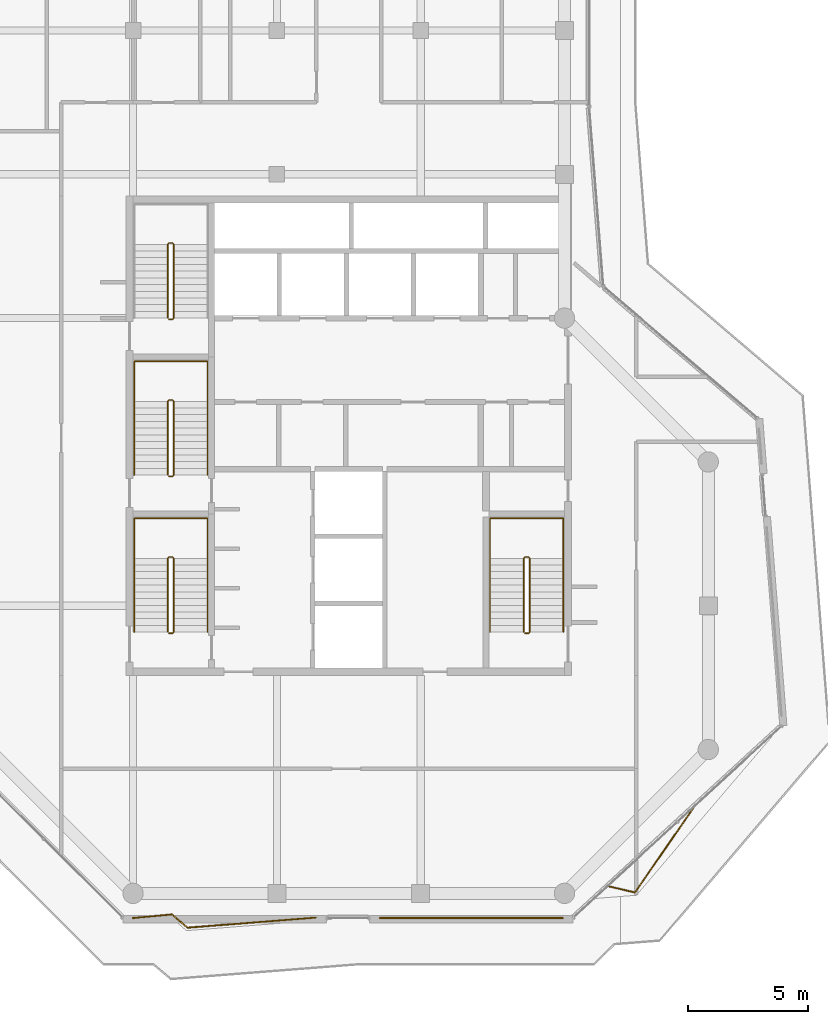
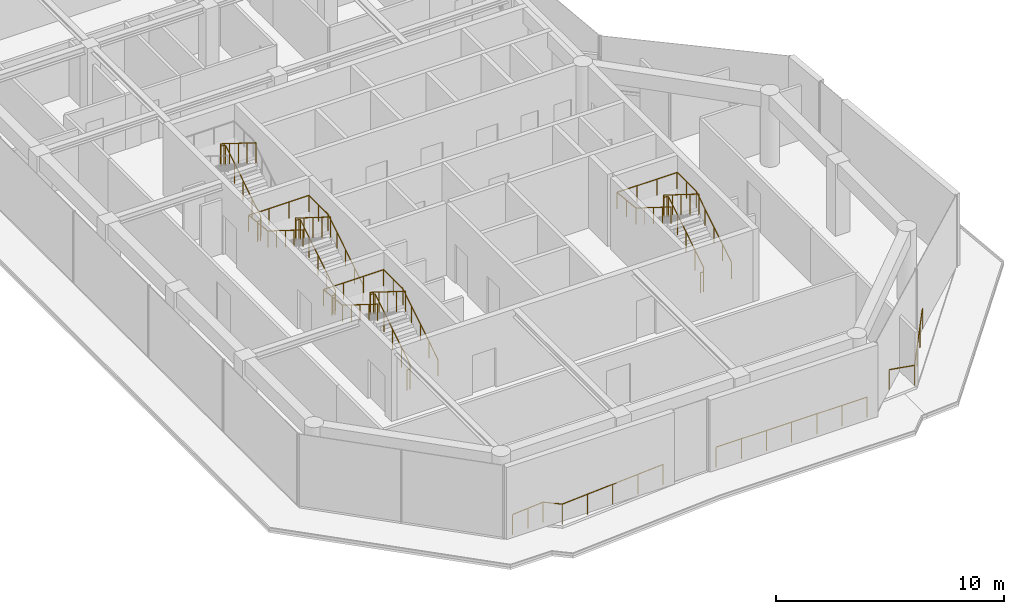
# One storey, part 22 of 23: 10 railings.
"""IFC4 building model written with IfcOpenShell, lengths in metres."""

from ifc_helpers import new_model, si_unit, direction, frame, origin, origin_2d, place, context, subcontext, project, spatial, circle, extrude, material, type_object, element, save


model = new_model("IFC4")

# Units and contexts
model_context = context("Model", 3, precision=1e-05, world=origin(), true_north=direction((0.0, 1.0)))
body_context = subcontext(model_context, "Body", "Model", "MODEL_VIEW")
ifc_project = project(units=[si_unit("LENGTHUNIT", "METRE"), si_unit("AREAUNIT", "SQUARE_METRE"), si_unit("VOLUMEUNIT", "CUBIC_METRE"), si_unit("PLANEANGLEUNIT", "RADIAN"), si_unit("MASSUNIT", "GRAM", prefix="KILO")], contexts=[model_context])

# Site, building, storey
site_placement = place(None, origin())
site = spatial("IfcSite", under=ifc_project, at=site_placement, CompositionType="ELEMENT")
building_placement = place(site_placement, origin())
building = spatial("IfcBuilding", under=site, at=building_placement, Name="Welwitschia Terrace Campus", CompositionType="ELEMENT")
storey_placement = place(building_placement, frame((0.0, 0.0, 306.199951171875)))
storey = spatial("IfcBuildingStorey", under=building, at=storey_placement, Name="L68", CompositionType="ELEMENT", Elevation=306.199951171875)

# Railings
ifc_material_1 = material(Name="Stainless steel grade 316", Category="steel")
railing_type_1 = type_object("IfcRailingType", Name="Guard 1100", PredefinedType="GUARDRAIL", material=ifc_material_1)
railing_1_placement = place(storey_placement, frame((13.616943359375, -5.010986328125, 0.0)))
element("IfcRailing", 1, at=railing_1_placement, inside=storey, type_object=railing_type_1, Name="Guard floor edge L68.1", PredefinedType="GUARDRAIL", context=body_context, shape_type="SweptSolid", body=[
    extrude(circle(Radius=0.02392578125, at=origin_2d()), frame((0.0, 0.0, 1.076171875), z_axis=(-0.996917952921, -0.078451227809, 0.0), x_axis=(0.078451227809, -0.996917952921, 0.0)), (0.0, 0.0, 1.0), 5.362060546875),
    extrude(circle(Radius=0.02392578125, at=origin_2d()), frame((-5.345458984375, -0.420654296875, 1.076171875), z_axis=(-0.760391417932, 0.649465081075, 0.0), x_axis=(-0.649465081075, -0.760391417932, 0.0)), (0.0, 0.0, 1.0), 0.849609375),
    extrude(circle(Radius=0.02392578125, at=origin_2d()), frame((-5.991455078125, 0.131103515625, 1.076171875), z_axis=(-0.995776133678, -0.091814441111, 0.0), x_axis=(0.091814441111, -0.995776133678, 0.0)), (0.0, 0.0, 1.0), 1.63525390625),
    extrude(circle(Radius=0.02099609375, at=origin_2d()), origin(), (0.0, 0.0, 1.0), 1.052001953125),
    extrude(circle(Radius=0.02099609375, at=origin_2d()), frame((-1.33642578125, -0.105224609375, 0.0)), (0.0, 0.0, 1.0), 1.052001953125),
    extrude(circle(Radius=0.02099609375, at=origin_2d()), frame((-2.6728515625, -0.21044921875, 0.0)), (0.0, 0.0, 1.0), 1.052001953125),
    extrude(circle(Radius=0.02099609375, at=origin_2d()), frame((-4.009033203125, -0.3154296875, 0.0)), (0.0, 0.0, 1.0), 1.052001953125),
    extrude(circle(Radius=0.02099609375, at=origin_2d()), frame((-5.345458984375, -0.420654296875, 0.0)), (0.0, 0.0, 1.0), 1.052001953125),
    extrude(circle(Radius=0.02099609375, at=origin_2d()), frame((-5.991455078125, 0.131103515625, 0.0)), (0.0, 0.0, 1.0), 1.052001953125),
    extrude(circle(Radius=0.02099609375, at=origin_2d()), frame((-6.8056640625, 0.05615234375, 0.0)), (0.0, 0.0, 1.0), 1.052001953125),
    extrude(circle(Radius=0.02099609375, at=origin_2d()), frame((-7.619873046875, -0.01904296875, 0.0)), (0.0, 0.0, 1.0), 1.052001953125),
])
railing_2_placement = place(storey_placement, frame((23.9345703125, -5.030029296875, 0.0)))
element("IfcRailing", 2, at=railing_2_placement, inside=storey, type_object=railing_type_1, Name="Guard floor edge L68.3", PredefinedType="GUARDRAIL", context=body_context, shape_type="SweptSolid", body=[
    extrude(circle(Radius=0.02392578125, at=origin_2d()), frame((0.0, 0.0, 1.076171875), z_axis=(-1.0, 0.0, 0.0), x_axis=(0.0, -1.0, 0.0)), (0.0, 0.0, 1.0), 7.644775390625),
    extrude(circle(Radius=0.02099609375, at=origin_2d()), origin(), (0.0, 0.0, 1.0), 1.052001953125),
    extrude(circle(Radius=0.02099609375, at=origin_2d()), frame((-1.274169921875, 0.0, 0.0)), (0.0, 0.0, 1.0), 1.052001953125),
    extrude(circle(Radius=0.02099609375, at=origin_2d()), frame((-2.54833984375, 0.0, 0.0)), (0.0, 0.0, 1.0), 1.052001953125),
    extrude(circle(Radius=0.02099609375, at=origin_2d()), frame((-3.822265625, 0.0, 0.0)), (0.0, 0.0, 1.0), 1.052001953125),
    extrude(circle(Radius=0.02099609375, at=origin_2d()), frame((-5.096435546875, 0.0, 0.0)), (0.0, 0.0, 1.0), 1.052001953125),
    extrude(circle(Radius=0.02099609375, at=origin_2d()), frame((-6.37060546875, 0.0, 0.0)), (0.0, 0.0, 1.0), 1.052001953125),
    extrude(circle(Radius=0.02099609375, at=origin_2d()), frame((-7.644775390625, 0.0, 0.0)), (0.0, 0.0, 1.0), 1.052001953125),
])
railing_3_placement = place(storey_placement, frame((29.4189453125, -0.374755859375, 0.0)))
element("IfcRailing", 3, at=railing_3_placement, inside=storey, type_object=railing_type_1, Name="Guard floor edge L68.5", PredefinedType="GUARDRAIL", context=body_context, shape_type="SweptSolid", body=[
    extrude(circle(Radius=0.02392578125, at=origin_2d()), frame((0.0, 0.0, 1.076171875), z_axis=(-0.568082352485, -0.822971713241, 0.0), x_axis=(0.822971713241, -0.568082352485, 0.0)), (0.0, 0.0, 1.0), 4.359130859375),
    extrude(circle(Radius=0.02392578125, at=origin_2d()), frame((-2.476318359375, -3.58740234375, 1.076171875), z_axis=(-0.973601028447, 0.22825651668, 0.0), x_axis=(-0.22825651668, -0.973601028447, 0.0)), (0.0, 0.0, 1.0), 1.164794921875),
    extrude(circle(Radius=0.02099609375, at=origin_2d()), origin(), (0.0, 0.0, 1.0), 1.052001953125),
    extrude(circle(Radius=0.02099609375, at=origin_2d()), frame((-0.825439453125, -1.19580078125, 0.0)), (0.0, 0.0, 1.0), 1.052001953125),
    extrude(circle(Radius=0.02099609375, at=origin_2d()), frame((-1.65087890625, -2.3916015625, 0.0)), (0.0, 0.0, 1.0), 1.052001953125),
    extrude(circle(Radius=0.02099609375, at=origin_2d()), frame((-2.476318359375, -3.58740234375, 0.0)), (0.0, 0.0, 1.0), 1.052001953125),
    extrude(circle(Radius=0.02099609375, at=origin_2d()), frame((-3.6103515625, -3.321533203125, 0.0)), (0.0, 0.0, 1.0), 1.052001953125),
])
ifc_material_2 = material(Name="Steel S355", Category="steel")
railing_type_2 = type_object("IfcRailingType", Name="Stair guard 1100", PredefinedType="GUARDRAIL", material=ifc_material_2)
railing_4_placement = place(storey_placement, frame((7.5, 6.85009765625, 0.0)))
element("IfcRailing", 4, at=railing_4_placement, inside=storey, type_object=railing_type_2, Name="L68 S1 stair guard", PredefinedType="GUARDRAIL", context=body_context, shape_type="SweptSolid", body=[
    extrude(circle(Radius=0.02392578125, at=origin_2d()), frame((0.0, 0.0, 1.076171875), z_axis=(1.0, 0.0, 0.0), x_axis=(0.0, 1.0, 0.0)), (0.0, 0.0, 1.0), 0.14990234375),
    extrude(circle(Radius=0.02392578125, at=origin_2d()), frame((0.14990234375, 0.0, 1.076171875), z_axis=(0.265155923931, 0.263862480399, 0.927399011991), x_axis=(-0.705375805398, 0.708833529934, 0.0)), (0.0, 0.0, 1.0), 0.188720703125),
    extrude(circle(Radius=0.02392578125, at=origin_2d()), frame((0.199951171875, 0.0498046875, 1.2509765625), z_axis=(0.0, 0.847998304005, 0.529998940003), x_axis=(-1.0, 0.0, 0.0)), (0.0, 0.0, 1.0), 3.632080078125),
    extrude(circle(Radius=0.02392578125, at=origin_2d()), frame((0.199951171875, 3.1298828125, 3.17626953125), z_axis=(-0.707106781187, 0.707106781187, 0.0), x_axis=(-0.707106781187, -0.707106781187, 0.0)), (0.0, 0.0, 1.0), 0.07080078125),
    extrude(circle(Radius=0.02392578125, at=origin_2d()), frame((0.14990234375, 3.179931640625, 3.17626953125), z_axis=(-1.0, 0.0, 0.0), x_axis=(0.0, -1.0, 0.0)), (0.0, 0.0, 1.0), 0.14990234375),
    extrude(circle(Radius=0.02392578125, at=origin_2d()), frame((0.0, 3.179931640625, 3.17626953125), z_axis=(-0.265065253269, -0.265065253269, 0.927081885822), x_axis=(0.707106781187, -0.707106781187, 0.0)), (0.0, 0.0, 1.0), 0.188720703125),
    extrude(circle(Radius=0.02392578125, at=origin_2d()), frame((-0.050048828125, 3.1298828125, 3.35107421875), z_axis=(0.0, -0.848028513186, 0.529950602248), x_axis=(1.0, 0.0, 0.0)), (0.0, 0.0, 1.0), 3.632080078125),
    extrude(circle(Radius=0.02099609375, at=origin_2d()), origin(), (0.0, 0.0, 1.0), 1.052001953125),
    extrude(circle(Radius=0.02099609375, at=origin_2d()), frame((0.14990234375, 0.0, 0.0)), (0.0, 0.0, 1.0), 1.052001953125),
    extrude(circle(Radius=0.02099609375, at=origin_2d()), frame((0.199951171875, 0.0498046875, 0.175048828125)), (0.0, 0.0, 1.0), 1.052001953125),
    extrude(circle(Radius=0.02099609375, at=origin_2d()), frame((0.199951171875, 0.81982421875, 0.65625)), (0.0, 0.0, 1.0), 1.052001953125),
    extrude(circle(Radius=0.02099609375, at=origin_2d()), frame((0.199951171875, 1.58984375, 1.1376953125)), (0.0, 0.0, 1.0), 1.052001953125),
    extrude(circle(Radius=0.02099609375, at=origin_2d()), frame((0.199951171875, 2.35986328125, 1.618896484375)), (0.0, 0.0, 1.0), 1.052001953125),
    extrude(circle(Radius=0.02099609375, at=origin_2d()), frame((0.199951171875, 3.1298828125, 2.10009765625)), (0.0, 0.0, 1.0), 1.052001953125),
    extrude(circle(Radius=0.02099609375, at=origin_2d()), frame((0.14990234375, 3.179931640625, 2.10009765625)), (0.0, 0.0, 1.0), 1.052001953125),
    extrude(circle(Radius=0.02099609375, at=origin_2d()), frame((0.0, 3.179931640625, 2.10009765625)), (0.0, 0.0, 1.0), 1.052001953125),
    extrude(circle(Radius=0.02099609375, at=origin_2d()), frame((-0.050048828125, 3.1298828125, 2.275146484375)), (0.0, 0.0, 1.0), 1.052001953125),
    extrude(circle(Radius=0.02099609375, at=origin_2d()), frame((-0.050048828125, 2.35986328125, 2.75634765625)), (0.0, 0.0, 1.0), 1.052001953125),
    extrude(circle(Radius=0.02099609375, at=origin_2d()), frame((-0.050048828125, 1.58984375, 3.237548828125)), (0.0, 0.0, 1.0), 1.052001953125),
    extrude(circle(Radius=0.02099609375, at=origin_2d()), frame((-0.050048828125, 0.81982421875, 3.71875)), (0.0, 0.0, 1.0), 1.052001953125),
    extrude(circle(Radius=0.02099609375, at=origin_2d()), frame((-0.050048828125, 0.0498046875, 4.199951171875)), (0.0, 0.0, 1.0), 1.052001953125),
])
railing_5_placement = place(storey_placement, frame((7.5, 13.39990234375, 0.0)))
element("IfcRailing", 5, at=railing_5_placement, inside=storey, type_object=railing_type_2, Name="L68 S3 stair guard", PredefinedType="GUARDRAIL", context=body_context, shape_type="SweptSolid", body=[
    extrude(circle(Radius=0.02392578125, at=origin_2d()), frame((0.0, 0.0, 1.076171875), z_axis=(1.0, 0.0, 0.0), x_axis=(0.0, 1.0, 0.0)), (0.0, 0.0, 1.0), 0.14990234375),
    extrude(circle(Radius=0.02392578125, at=origin_2d()), frame((0.14990234375, 0.0, 1.076171875), z_axis=(0.265065253269, 0.265065253269, 0.927081885822), x_axis=(-0.707106781187, 0.707106781187, 0.0)), (0.0, 0.0, 1.0), 0.188720703125),
    extrude(circle(Radius=0.02392578125, at=origin_2d()), frame((0.199951171875, 0.050048828125, 1.2509765625), z_axis=(0.0, 0.847998304005, 0.529998940003), x_axis=(-1.0, 0.0, 0.0)), (0.0, 0.0, 1.0), 3.632080078125),
    extrude(circle(Radius=0.02392578125, at=origin_2d()), frame((0.199951171875, 3.130126953125, 3.17626953125), z_axis=(-0.707106781187, 0.707106781187, 0.0), x_axis=(-0.707106781187, -0.707106781187, 0.0)), (0.0, 0.0, 1.0), 0.07080078125),
    extrude(circle(Radius=0.02392578125, at=origin_2d()), frame((0.14990234375, 3.18017578125, 3.17626953125), z_axis=(-1.0, 0.0, 0.0), x_axis=(0.0, -1.0, 0.0)), (0.0, 0.0, 1.0), 0.14990234375),
    extrude(circle(Radius=0.02392578125, at=origin_2d()), frame((0.0, 3.18017578125, 3.17626953125), z_axis=(-0.265065253269, -0.265065253269, 0.927081885822), x_axis=(0.707106781187, -0.707106781187, 0.0)), (0.0, 0.0, 1.0), 0.188720703125),
    extrude(circle(Radius=0.02392578125, at=origin_2d()), frame((-0.050048828125, 3.130126953125, 3.35107421875), z_axis=(0.0, -0.848028513186, 0.529950602248), x_axis=(1.0, 0.0, 0.0)), (0.0, 0.0, 1.0), 3.632080078125),
    extrude(circle(Radius=0.02099609375, at=origin_2d()), origin(), (0.0, 0.0, 1.0), 1.052001953125),
    extrude(circle(Radius=0.02099609375, at=origin_2d()), frame((0.14990234375, 0.0, 0.0)), (0.0, 0.0, 1.0), 1.052001953125),
    extrude(circle(Radius=0.02099609375, at=origin_2d()), frame((0.199951171875, 0.050048828125, 0.175048828125)), (0.0, 0.0, 1.0), 1.052001953125),
    extrude(circle(Radius=0.02099609375, at=origin_2d()), frame((0.199951171875, 0.820068359375, 0.65625)), (0.0, 0.0, 1.0), 1.052001953125),
    extrude(circle(Radius=0.02099609375, at=origin_2d()), frame((0.199951171875, 1.590087890625, 1.1376953125)), (0.0, 0.0, 1.0), 1.052001953125),
    extrude(circle(Radius=0.02099609375, at=origin_2d()), frame((0.199951171875, 2.360107421875, 1.618896484375)), (0.0, 0.0, 1.0), 1.052001953125),
    extrude(circle(Radius=0.02099609375, at=origin_2d()), frame((0.199951171875, 3.130126953125, 2.10009765625)), (0.0, 0.0, 1.0), 1.052001953125),
    extrude(circle(Radius=0.02099609375, at=origin_2d()), frame((0.14990234375, 3.18017578125, 2.10009765625)), (0.0, 0.0, 1.0), 1.052001953125),
    extrude(circle(Radius=0.02099609375, at=origin_2d()), frame((0.0, 3.18017578125, 2.10009765625)), (0.0, 0.0, 1.0), 1.052001953125),
    extrude(circle(Radius=0.02099609375, at=origin_2d()), frame((-0.050048828125, 3.130126953125, 2.275146484375)), (0.0, 0.0, 1.0), 1.052001953125),
    extrude(circle(Radius=0.02099609375, at=origin_2d()), frame((-0.050048828125, 2.360107421875, 2.75634765625)), (0.0, 0.0, 1.0), 1.052001953125),
    extrude(circle(Radius=0.02099609375, at=origin_2d()), frame((-0.050048828125, 1.590087890625, 3.237548828125)), (0.0, 0.0, 1.0), 1.052001953125),
    extrude(circle(Radius=0.02099609375, at=origin_2d()), frame((-0.050048828125, 0.820068359375, 3.71875)), (0.0, 0.0, 1.0), 1.052001953125),
    extrude(circle(Radius=0.02099609375, at=origin_2d()), frame((-0.050048828125, 0.050048828125, 4.199951171875)), (0.0, 0.0, 1.0), 1.052001953125),
])
railing_6_placement = place(storey_placement, frame((7.5, 19.949951171875, 0.0)))
element("IfcRailing", 6, at=railing_6_placement, inside=storey, type_object=railing_type_2, Name="L68 S4 stair guard", PredefinedType="GUARDRAIL", context=body_context, shape_type="SweptSolid", body=[
    extrude(circle(Radius=0.02392578125, at=origin_2d()), frame((0.0, 0.0, 1.076171875), z_axis=(1.0, 0.0, 0.0), x_axis=(0.0, 1.0, 0.0)), (0.0, 0.0, 1.0), 0.14990234375),
    extrude(circle(Radius=0.02392578125, at=origin_2d()), frame((0.14990234375, 0.0, 1.076171875), z_axis=(0.265065253269, 0.265065253269, 0.927081885822), x_axis=(-0.707106781187, 0.707106781187, 0.0)), (0.0, 0.0, 1.0), 0.188720703125),
    extrude(circle(Radius=0.02392578125, at=origin_2d()), frame((0.199951171875, 0.050048828125, 1.2509765625), z_axis=(0.0, 0.847998304005, 0.529998940003), x_axis=(-1.0, 0.0, 0.0)), (0.0, 0.0, 1.0), 3.632080078125),
    extrude(circle(Radius=0.02392578125, at=origin_2d()), frame((0.199951171875, 3.130126953125, 3.17626953125), z_axis=(-0.708833529934, 0.705375805398, 0.0), x_axis=(-0.705375805398, -0.708833529934, 0.0)), (0.0, 0.0, 1.0), 0.070556640625),
    extrude(circle(Radius=0.02392578125, at=origin_2d()), frame((0.14990234375, 3.179931640625, 3.17626953125), z_axis=(-1.0, 0.0, 0.0), x_axis=(0.0, -1.0, 0.0)), (0.0, 0.0, 1.0), 0.14990234375),
    extrude(circle(Radius=0.02392578125, at=origin_2d()), frame((0.0, 3.179931640625, 3.17626953125), z_axis=(-0.265155923931, -0.263862480399, 0.927399011991), x_axis=(0.705375805398, -0.708833529934, 0.0)), (0.0, 0.0, 1.0), 0.188720703125),
    extrude(circle(Radius=0.02392578125, at=origin_2d()), frame((-0.050048828125, 3.130126953125, 3.35107421875), z_axis=(0.0, -0.848028513186, 0.529950602248), x_axis=(1.0, 0.0, 0.0)), (0.0, 0.0, 1.0), 3.632080078125),
    extrude(circle(Radius=0.02099609375, at=origin_2d()), origin(), (0.0, 0.0, 1.0), 1.052001953125),
    extrude(circle(Radius=0.02099609375, at=origin_2d()), frame((0.14990234375, 0.0, 0.0)), (0.0, 0.0, 1.0), 1.052001953125),
    extrude(circle(Radius=0.02099609375, at=origin_2d()), frame((0.199951171875, 0.050048828125, 0.175048828125)), (0.0, 0.0, 1.0), 1.052001953125),
    extrude(circle(Radius=0.02099609375, at=origin_2d()), frame((0.199951171875, 0.820068359375, 0.65625)), (0.0, 0.0, 1.0), 1.052001953125),
    extrude(circle(Radius=0.02099609375, at=origin_2d()), frame((0.199951171875, 1.590087890625, 1.1376953125)), (0.0, 0.0, 1.0), 1.052001953125),
    extrude(circle(Radius=0.02099609375, at=origin_2d()), frame((0.199951171875, 2.360107421875, 1.618896484375)), (0.0, 0.0, 1.0), 1.052001953125),
    extrude(circle(Radius=0.02099609375, at=origin_2d()), frame((0.199951171875, 3.130126953125, 2.10009765625)), (0.0, 0.0, 1.0), 1.052001953125),
    extrude(circle(Radius=0.02099609375, at=origin_2d()), frame((0.14990234375, 3.179931640625, 2.10009765625)), (0.0, 0.0, 1.0), 1.052001953125),
    extrude(circle(Radius=0.02099609375, at=origin_2d()), frame((0.0, 3.179931640625, 2.10009765625)), (0.0, 0.0, 1.0), 1.052001953125),
    extrude(circle(Radius=0.02099609375, at=origin_2d()), frame((-0.050048828125, 3.130126953125, 2.275146484375)), (0.0, 0.0, 1.0), 1.052001953125),
    extrude(circle(Radius=0.02099609375, at=origin_2d()), frame((-0.050048828125, 2.360107421875, 2.75634765625)), (0.0, 0.0, 1.0), 1.052001953125),
    extrude(circle(Radius=0.02099609375, at=origin_2d()), frame((-0.050048828125, 1.590087890625, 3.237548828125)), (0.0, 0.0, 1.0), 1.052001953125),
    extrude(circle(Radius=0.02099609375, at=origin_2d()), frame((-0.050048828125, 0.820068359375, 3.71875)), (0.0, 0.0, 1.0), 1.052001953125),
    extrude(circle(Radius=0.02099609375, at=origin_2d()), frame((-0.050048828125, 0.050048828125, 4.199951171875)), (0.0, 0.0, 1.0), 1.052001953125),
])
railing_7_placement = place(storey_placement, frame((22.35009765625, 6.85009765625, 0.0)))
element("IfcRailing", 7, at=railing_7_placement, inside=storey, type_object=railing_type_2, Name="L68 S2 stair guard", PredefinedType="GUARDRAIL", context=body_context, shape_type="SweptSolid", body=[
    extrude(circle(Radius=0.02392578125, at=origin_2d()), frame((0.0, 0.0, 1.076171875), z_axis=(1.0, 0.0, 0.0), x_axis=(0.0, 1.0, 0.0)), (0.0, 0.0, 1.0), 0.14990234375),
    extrude(circle(Radius=0.02392578125, at=origin_2d()), frame((0.14990234375, 0.0, 1.076171875), z_axis=(0.265155923931, 0.263862480399, 0.927399011991), x_axis=(-0.705375805398, 0.708833529934, 0.0)), (0.0, 0.0, 1.0), 0.188720703125),
    extrude(circle(Radius=0.02392578125, at=origin_2d()), frame((0.199951171875, 0.0498046875, 1.2509765625), z_axis=(0.0, 0.847998304005, 0.529998940003), x_axis=(-1.0, 0.0, 0.0)), (0.0, 0.0, 1.0), 3.632080078125),
    extrude(circle(Radius=0.02392578125, at=origin_2d()), frame((0.199951171875, 3.1298828125, 3.17626953125), z_axis=(-0.707106781187, 0.707106781187, 0.0), x_axis=(-0.707106781187, -0.707106781187, 0.0)), (0.0, 0.0, 1.0), 0.07080078125),
    extrude(circle(Radius=0.02392578125, at=origin_2d()), frame((0.14990234375, 3.179931640625, 3.17626953125), z_axis=(-1.0, 0.0, 0.0), x_axis=(0.0, -1.0, 0.0)), (0.0, 0.0, 1.0), 0.14990234375),
    extrude(circle(Radius=0.02392578125, at=origin_2d()), frame((0.0, 3.179931640625, 3.17626953125), z_axis=(-0.265065253269, -0.265065253269, 0.927081885822), x_axis=(0.707106781187, -0.707106781187, 0.0)), (0.0, 0.0, 1.0), 0.188720703125),
    extrude(circle(Radius=0.02392578125, at=origin_2d()), frame((-0.050048828125, 3.1298828125, 3.35107421875), z_axis=(0.0, -0.848028513186, 0.529950602248), x_axis=(1.0, 0.0, 0.0)), (0.0, 0.0, 1.0), 3.632080078125),
    extrude(circle(Radius=0.02099609375, at=origin_2d()), origin(), (0.0, 0.0, 1.0), 1.052001953125),
    extrude(circle(Radius=0.02099609375, at=origin_2d()), frame((0.14990234375, 0.0, 0.0)), (0.0, 0.0, 1.0), 1.052001953125),
    extrude(circle(Radius=0.02099609375, at=origin_2d()), frame((0.199951171875, 0.0498046875, 0.175048828125)), (0.0, 0.0, 1.0), 1.052001953125),
    extrude(circle(Radius=0.02099609375, at=origin_2d()), frame((0.199951171875, 0.81982421875, 0.65625)), (0.0, 0.0, 1.0), 1.052001953125),
    extrude(circle(Radius=0.02099609375, at=origin_2d()), frame((0.199951171875, 1.58984375, 1.1376953125)), (0.0, 0.0, 1.0), 1.052001953125),
    extrude(circle(Radius=0.02099609375, at=origin_2d()), frame((0.199951171875, 2.35986328125, 1.618896484375)), (0.0, 0.0, 1.0), 1.052001953125),
    extrude(circle(Radius=0.02099609375, at=origin_2d()), frame((0.199951171875, 3.1298828125, 2.10009765625)), (0.0, 0.0, 1.0), 1.052001953125),
    extrude(circle(Radius=0.02099609375, at=origin_2d()), frame((0.14990234375, 3.179931640625, 2.10009765625)), (0.0, 0.0, 1.0), 1.052001953125),
    extrude(circle(Radius=0.02099609375, at=origin_2d()), frame((0.0, 3.179931640625, 2.10009765625)), (0.0, 0.0, 1.0), 1.052001953125),
    extrude(circle(Radius=0.02099609375, at=origin_2d()), frame((-0.050048828125, 3.1298828125, 2.275146484375)), (0.0, 0.0, 1.0), 1.052001953125),
    extrude(circle(Radius=0.02099609375, at=origin_2d()), frame((-0.050048828125, 2.35986328125, 2.75634765625)), (0.0, 0.0, 1.0), 1.052001953125),
    extrude(circle(Radius=0.02099609375, at=origin_2d()), frame((-0.050048828125, 1.58984375, 3.237548828125)), (0.0, 0.0, 1.0), 1.052001953125),
    extrude(circle(Radius=0.02099609375, at=origin_2d()), frame((-0.050048828125, 0.81982421875, 3.71875)), (0.0, 0.0, 1.0), 1.052001953125),
    extrude(circle(Radius=0.02099609375, at=origin_2d()), frame((-0.050048828125, 0.0498046875, 4.199951171875)), (0.0, 0.0, 1.0), 1.052001953125),
])
ifc_material_3 = material(Name="Steel S355", Category="steel")
railing_type_3 = type_object("IfcRailingType", Name="Stair handrail 900", PredefinedType="HANDRAIL", material=ifc_material_3)
railing_8_placement = place(storey_placement, frame((9.10009765625, 6.89990234375, 0.175048828125)))
element("IfcRailing", 8, at=railing_8_placement, inside=storey, type_object=railing_type_3, Name="L68 S1 stair handrail", PredefinedType="HANDRAIL", context=body_context, shape_type="SweptSolid", body=[
    extrude(circle(Radius=0.02392578125, at=origin_2d()), frame((0.0, 0.0, 0.8759765625), z_axis=(0.0, 0.847998304005, 0.529998940003), x_axis=(-1.0, 0.0, 0.0)), (0.0, 0.0, 1.0), 3.632080078125),
    extrude(circle(Radius=0.02392578125, at=origin_2d()), frame((0.0, 3.080078125, 2.80078125), z_axis=(0.0, 1.0, 0.0), x_axis=(-1.0, 0.0, 0.0)), (0.0, 0.0, 1.0), 1.669921875),
    extrude(circle(Radius=0.02392578125, at=origin_2d()), frame((0.0, 4.75, 2.80078125), z_axis=(-1.0, 0.0, 0.0), x_axis=(0.0, -1.0, 0.0)), (0.0, 0.0, 1.0), 3.050048828125),
    extrude(circle(Radius=0.02392578125, at=origin_2d()), frame((-3.050048828125, 4.75, 2.80078125), z_axis=(0.0, -0.99455077262, 0.104253348533), x_axis=(1.0, 0.0, 0.0)), (0.0, 0.0, 1.0), 1.678955078125),
    extrude(circle(Radius=0.02392578125, at=origin_2d()), frame((-3.050048828125, 3.080078125, 2.97607421875), z_axis=(0.0, -0.848028513186, 0.529950602248), x_axis=(1.0, 0.0, 0.0)), (0.0, 0.0, 1.0), 3.632080078125),
    extrude(circle(Radius=0.02099609375, at=origin_2d()), origin(), (0.0, 0.0, 1.0), 0.851806640625),
    extrude(circle(Radius=0.02099609375, at=origin_2d()), frame((0.0, 0.77001953125, 0.481201171875)), (0.0, 0.0, 1.0), 0.851806640625),
    extrude(circle(Radius=0.02099609375, at=origin_2d()), frame((0.0, 1.5400390625, 0.96240234375)), (0.0, 0.0, 1.0), 0.851806640625),
    extrude(circle(Radius=0.02099609375, at=origin_2d()), frame((0.0, 2.31005859375, 1.44384765625)), (0.0, 0.0, 1.0), 0.851806640625),
    extrude(circle(Radius=0.02099609375, at=origin_2d()), frame((0.0, 3.080078125, 1.925048828125)), (0.0, 0.0, 1.0), 0.851806640625),
    extrude(circle(Radius=0.02099609375, at=origin_2d()), frame((0.0, 3.9150390625, 1.925048828125)), (0.0, 0.0, 1.0), 0.851806640625),
    extrude(circle(Radius=0.02099609375, at=origin_2d()), frame((0.0, 4.75, 1.925048828125)), (0.0, 0.0, 1.0), 0.851806640625),
    extrude(circle(Radius=0.02099609375, at=origin_2d()), frame((-1.0166015625, 4.75, 1.925048828125)), (0.0, 0.0, 1.0), 0.851806640625),
    extrude(circle(Radius=0.02099609375, at=origin_2d()), frame((-2.033447265625, 4.75, 1.925048828125)), (0.0, 0.0, 1.0), 0.851806640625),
    extrude(circle(Radius=0.02099609375, at=origin_2d()), frame((-3.050048828125, 4.75, 1.925048828125)), (0.0, 0.0, 1.0), 0.851806640625),
    extrude(circle(Radius=0.02099609375, at=origin_2d()), frame((-3.050048828125, 3.9150390625, 2.0126953125)), (0.0, 0.0, 1.0), 0.851806640625),
    extrude(circle(Radius=0.02099609375, at=origin_2d()), frame((-3.050048828125, 3.080078125, 2.10009765625)), (0.0, 0.0, 1.0), 0.851806640625),
    extrude(circle(Radius=0.02099609375, at=origin_2d()), frame((-3.050048828125, 2.31005859375, 2.581298828125)), (0.0, 0.0, 1.0), 0.851806640625),
    extrude(circle(Radius=0.02099609375, at=origin_2d()), frame((-3.050048828125, 1.5400390625, 3.0625)), (0.0, 0.0, 1.0), 0.851806640625),
    extrude(circle(Radius=0.02099609375, at=origin_2d()), frame((-3.050048828125, 0.77001953125, 3.543701171875)), (0.0, 0.0, 1.0), 0.851806640625),
    extrude(circle(Radius=0.02099609375, at=origin_2d()), frame((-3.050048828125, 0.0, 4.02490234375)), (0.0, 0.0, 1.0), 0.851806640625),
])
railing_9_placement = place(storey_placement, frame((9.10009765625, 13.449951171875, 0.175048828125)))
element("IfcRailing", 9, at=railing_9_placement, inside=storey, type_object=railing_type_3, Name="L68 S3 stair handrail", PredefinedType="HANDRAIL", context=body_context, shape_type="SweptSolid", body=[
    extrude(circle(Radius=0.02392578125, at=origin_2d()), frame((0.0, 0.0, 0.8759765625), z_axis=(0.0, 0.847998304005, 0.529998940003), x_axis=(-1.0, 0.0, 0.0)), (0.0, 0.0, 1.0), 3.632080078125),
    extrude(circle(Radius=0.02392578125, at=origin_2d()), frame((0.0, 3.080078125, 2.80078125), z_axis=(0.0, 1.0, 0.0), x_axis=(-1.0, 0.0, 0.0)), (0.0, 0.0, 1.0), 1.669921875),
    extrude(circle(Radius=0.02392578125, at=origin_2d()), frame((0.0, 4.75, 2.80078125), z_axis=(-1.0, 0.0, 0.0), x_axis=(0.0, -1.0, 0.0)), (0.0, 0.0, 1.0), 3.050048828125),
    extrude(circle(Radius=0.02392578125, at=origin_2d()), frame((-3.050048828125, 4.75, 2.80078125), z_axis=(0.0, -0.99455077262, 0.104253348533), x_axis=(1.0, 0.0, 0.0)), (0.0, 0.0, 1.0), 1.678955078125),
    extrude(circle(Radius=0.02392578125, at=origin_2d()), frame((-3.050048828125, 3.080078125, 2.97607421875), z_axis=(0.0, -0.848028513186, 0.529950602248), x_axis=(1.0, 0.0, 0.0)), (0.0, 0.0, 1.0), 3.632080078125),
    extrude(circle(Radius=0.02099609375, at=origin_2d()), origin(), (0.0, 0.0, 1.0), 0.851806640625),
    extrude(circle(Radius=0.02099609375, at=origin_2d()), frame((0.0, 0.77001953125, 0.481201171875)), (0.0, 0.0, 1.0), 0.851806640625),
    extrude(circle(Radius=0.02099609375, at=origin_2d()), frame((0.0, 1.5400390625, 0.96240234375)), (0.0, 0.0, 1.0), 0.851806640625),
    extrude(circle(Radius=0.02099609375, at=origin_2d()), frame((0.0, 2.31005859375, 1.44384765625)), (0.0, 0.0, 1.0), 0.851806640625),
    extrude(circle(Radius=0.02099609375, at=origin_2d()), frame((0.0, 3.080078125, 1.925048828125)), (0.0, 0.0, 1.0), 0.851806640625),
    extrude(circle(Radius=0.02099609375, at=origin_2d()), frame((0.0, 3.9150390625, 1.925048828125)), (0.0, 0.0, 1.0), 0.851806640625),
    extrude(circle(Radius=0.02099609375, at=origin_2d()), frame((0.0, 4.75, 1.925048828125)), (0.0, 0.0, 1.0), 0.851806640625),
    extrude(circle(Radius=0.02099609375, at=origin_2d()), frame((-1.0166015625, 4.75, 1.925048828125)), (0.0, 0.0, 1.0), 0.851806640625),
    extrude(circle(Radius=0.02099609375, at=origin_2d()), frame((-2.033447265625, 4.75, 1.925048828125)), (0.0, 0.0, 1.0), 0.851806640625),
    extrude(circle(Radius=0.02099609375, at=origin_2d()), frame((-3.050048828125, 4.75, 1.925048828125)), (0.0, 0.0, 1.0), 0.851806640625),
    extrude(circle(Radius=0.02099609375, at=origin_2d()), frame((-3.050048828125, 3.9150390625, 2.0126953125)), (0.0, 0.0, 1.0), 0.851806640625),
    extrude(circle(Radius=0.02099609375, at=origin_2d()), frame((-3.050048828125, 3.080078125, 2.10009765625)), (0.0, 0.0, 1.0), 0.851806640625),
    extrude(circle(Radius=0.02099609375, at=origin_2d()), frame((-3.050048828125, 2.31005859375, 2.581298828125)), (0.0, 0.0, 1.0), 0.851806640625),
    extrude(circle(Radius=0.02099609375, at=origin_2d()), frame((-3.050048828125, 1.5400390625, 3.0625)), (0.0, 0.0, 1.0), 0.851806640625),
    extrude(circle(Radius=0.02099609375, at=origin_2d()), frame((-3.050048828125, 0.77001953125, 3.543701171875)), (0.0, 0.0, 1.0), 0.851806640625),
    extrude(circle(Radius=0.02099609375, at=origin_2d()), frame((-3.050048828125, 0.0, 4.02490234375)), (0.0, 0.0, 1.0), 0.851806640625),
])
railing_10_placement = place(storey_placement, frame((23.949951171875, 6.89990234375, 0.175048828125)))
element("IfcRailing", 10, at=railing_10_placement, inside=storey, type_object=railing_type_3, Name="L68 S2 stair handrail", PredefinedType="HANDRAIL", context=body_context, shape_type="SweptSolid", body=[
    extrude(circle(Radius=0.02392578125, at=origin_2d()), frame((0.0, 0.0, 0.8759765625), z_axis=(0.0, 0.847998304005, 0.529998940003), x_axis=(-1.0, 0.0, 0.0)), (0.0, 0.0, 1.0), 3.632080078125),
    extrude(circle(Radius=0.02392578125, at=origin_2d()), frame((0.0, 3.080078125, 2.80078125), z_axis=(0.0, 1.0, 0.0), x_axis=(-1.0, 0.0, 0.0)), (0.0, 0.0, 1.0), 1.669921875),
    extrude(circle(Radius=0.02392578125, at=origin_2d()), frame((0.0, 4.75, 2.80078125), z_axis=(-1.0, 0.0, 0.0), x_axis=(0.0, -1.0, 0.0)), (0.0, 0.0, 1.0), 3.050048828125),
    extrude(circle(Radius=0.02392578125, at=origin_2d()), frame((-3.050048828125, 4.75, 2.80078125), z_axis=(0.0, -0.99455077262, 0.104253348533), x_axis=(1.0, 0.0, 0.0)), (0.0, 0.0, 1.0), 1.678955078125),
    extrude(circle(Radius=0.02392578125, at=origin_2d()), frame((-3.050048828125, 3.080078125, 2.97607421875), z_axis=(0.0, -0.848028513186, 0.529950602248), x_axis=(1.0, 0.0, 0.0)), (0.0, 0.0, 1.0), 3.632080078125),
    extrude(circle(Radius=0.02099609375, at=origin_2d()), origin(), (0.0, 0.0, 1.0), 0.851806640625),
    extrude(circle(Radius=0.02099609375, at=origin_2d()), frame((0.0, 0.77001953125, 0.481201171875)), (0.0, 0.0, 1.0), 0.851806640625),
    extrude(circle(Radius=0.02099609375, at=origin_2d()), frame((0.0, 1.5400390625, 0.96240234375)), (0.0, 0.0, 1.0), 0.851806640625),
    extrude(circle(Radius=0.02099609375, at=origin_2d()), frame((0.0, 2.31005859375, 1.44384765625)), (0.0, 0.0, 1.0), 0.851806640625),
    extrude(circle(Radius=0.02099609375, at=origin_2d()), frame((0.0, 3.080078125, 1.925048828125)), (0.0, 0.0, 1.0), 0.851806640625),
    extrude(circle(Radius=0.02099609375, at=origin_2d()), frame((0.0, 3.9150390625, 1.925048828125)), (0.0, 0.0, 1.0), 0.851806640625),
    extrude(circle(Radius=0.02099609375, at=origin_2d()), frame((0.0, 4.75, 1.925048828125)), (0.0, 0.0, 1.0), 0.851806640625),
    extrude(circle(Radius=0.02099609375, at=origin_2d()), frame((-1.0166015625, 4.75, 1.925048828125)), (0.0, 0.0, 1.0), 0.851806640625),
    extrude(circle(Radius=0.02099609375, at=origin_2d()), frame((-2.033447265625, 4.75, 1.925048828125)), (0.0, 0.0, 1.0), 0.851806640625),
    extrude(circle(Radius=0.02099609375, at=origin_2d()), frame((-3.050048828125, 4.75, 1.925048828125)), (0.0, 0.0, 1.0), 0.851806640625),
    extrude(circle(Radius=0.02099609375, at=origin_2d()), frame((-3.050048828125, 3.9150390625, 2.0126953125)), (0.0, 0.0, 1.0), 0.851806640625),
    extrude(circle(Radius=0.02099609375, at=origin_2d()), frame((-3.050048828125, 3.080078125, 2.10009765625)), (0.0, 0.0, 1.0), 0.851806640625),
    extrude(circle(Radius=0.02099609375, at=origin_2d()), frame((-3.050048828125, 2.31005859375, 2.581298828125)), (0.0, 0.0, 1.0), 0.851806640625),
    extrude(circle(Radius=0.02099609375, at=origin_2d()), frame((-3.050048828125, 1.5400390625, 3.0625)), (0.0, 0.0, 1.0), 0.851806640625),
    extrude(circle(Radius=0.02099609375, at=origin_2d()), frame((-3.050048828125, 0.77001953125, 3.543701171875)), (0.0, 0.0, 1.0), 0.851806640625),
    extrude(circle(Radius=0.02099609375, at=origin_2d()), frame((-3.050048828125, 0.0, 4.02490234375)), (0.0, 0.0, 1.0), 0.851806640625),
])

save(model, "model.ifc")
